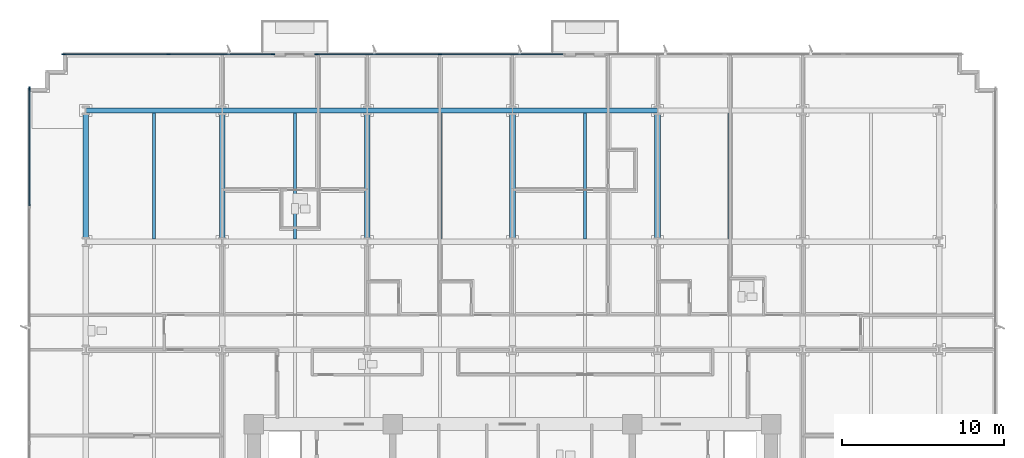
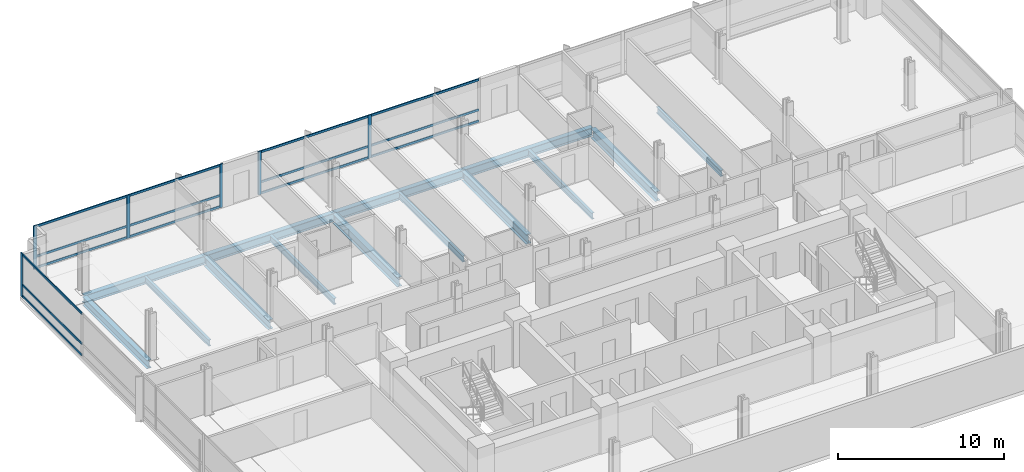
# One storey, part 5 of 15: 21 members, 14 beams, 3 elements without a shape of their own.
"""IFC4 building model written with IfcOpenShell, lengths in metres."""

from ifc_helpers import new_model, si_unit, direction, frame, origin, origin_2d, place, context, subcontext, project, spatial, rectangle, i_section, extrude, material, material_profile, profile_set, type_object, element, aggregate, save


model = new_model("IFC4")

# Units and contexts
model_context = context("Model", 3, precision=1e-05, world=origin(), true_north=direction((0.0, 1.0)))
body_context = subcontext(model_context, "Body", "Model", "MODEL_VIEW")
ifc_project = project(units=[si_unit("LENGTHUNIT", "METRE"), si_unit("AREAUNIT", "SQUARE_METRE"), si_unit("VOLUMEUNIT", "CUBIC_METRE"), si_unit("PLANEANGLEUNIT", "RADIAN"), si_unit("MASSUNIT", "GRAM", prefix="KILO")], contexts=[model_context])

# Site, building, storey
site_placement = place(None, origin())
site = spatial("IfcSite", under=ifc_project, at=site_placement, CompositionType="ELEMENT")
building_placement = place(site_placement, origin())
building = spatial("IfcBuilding", under=site, at=building_placement, Name="Solmavex Isthmus Hotel", CompositionType="ELEMENT")
storey_placement = place(building_placement, frame((0.0, 0.0, 64.35009765625)))
storey = spatial("IfcBuildingStorey", under=building, at=storey_placement, Name="L17", CompositionType="ELEMENT", Elevation=64.35009765625)

# Beams
ifc_material_1 = material(Name="Steel ASTM A992 Grade 50", Category="steel")
ifc_material_profile_1 = material_profile(ifc_material_1, i_section(OverallWidth=0.354736328125, OverallDepth=0.695556640625, WebThickness=0.015380859375, FlangeThickness=0.02490234375, FilletRadius=0.017822265625, at=origin_2d()), Name="W27X146")
ifc_profile_set_1 = profile_set([ifc_material_profile_1], Name="Steel ASTM A992 Grade 50")
beam_type_1 = type_object("IfcBeamType", Name="BM-BG-W27X146", PredefinedType="BEAM", material=ifc_profile_set_1)
for number, where, z_axis, x_axis, name in (
    (1, (-17.951904296875, 8.96533203125, -0.60791015625), (0.0, 1.0, 0.0), (-1.0, 0.0, 0.0), "Floor Beam L17-VG30"),
    (2, (-8.97607421875, 8.96533203125, -0.60791015625), (0.0, 1.0, 0.0), (-1.0, 0.0, 0.0), "Floor Beam L17-VG34"),
    (3, (0.0, 8.96533203125, -0.60791015625), (0.0, 1.0, 0.0), (-1.0, 0.0, 0.0), "Floor Beam L17-VG38"),
    (4, (8.97607421875, 8.96533203125, -0.60791015625), (0.0, 1.0, 0.0), (-1.0, 0.0, 0.0), "Floor Beam L17-VG42"),
):
    element("IfcBeam", number, at=place(storey_placement, frame(where, z_axis=z_axis, x_axis=x_axis)), inside=storey, type_object=beam_type_1, Name=name, PredefinedType="BEAM", context=body_context, shape_type="SweptSolid", body=[
        extrude(i_section(OverallWidth=0.354736328125, OverallDepth=0.695556640625, WebThickness=0.015380859375, FlangeThickness=0.02490234375, FilletRadius=0.017822265625, at=origin_2d()), origin(), (0.0, 0.0, 1.0), 7.771484375),
    ])
ifc_material_profile_2 = material_profile(ifc_material_1, i_section(OverallWidth=0.1904296875, OverallDepth=0.456787109375, WebThickness=0.009033203125, FlangeThickness=0.014404296875, FilletRadius=0.0126953125, at=origin_2d()), Name="W18X50")
ifc_profile_set_2 = profile_set([ifc_material_profile_2], Name="Steel ASTM A992 Grade 50")
beam_type_2 = type_object("IfcBeamType", Name="BM-BJ-W18X50", PredefinedType="JOIST", material=ifc_profile_set_2)
for number, where, z_axis, x_axis, name in (
    (5, (-22.176025390625, 8.96533203125, -0.488525390625), (0.0, 1.0, 0.0), (-1.0, 0.0, 0.0), "Secondary Floor Joist L17-J03"),
    (6, (-13.464111328125, 8.96533203125, -0.488525390625), (0.0, 1.0, 0.0), (-1.0, 0.0, 0.0), "Secondary Floor Joist L17-J07"),
    (7, (-4.488037109375, 8.96533203125, -0.488525390625), (0.0, 1.0, 0.0), (-1.0, 0.0, 0.0), "Secondary Floor Joist L17-J11"),
    (8, (4.488037109375, 8.96533203125, -0.488525390625), (0.0, 1.0, 0.0), (-1.0, 0.0, 0.0), "Secondary Floor Joist L17-J15"),
    (9, (13.464111328125, 8.96533203125, -0.488525390625), (0.0, 1.0, 0.0), (-1.0, 0.0, 0.0), "Secondary Floor Joist L17-J19"),
):
    element("IfcBeam", number, at=place(storey_placement, frame(where, z_axis=z_axis, x_axis=x_axis)), inside=storey, type_object=beam_type_2, Name=name, PredefinedType="JOIST", context=body_context, shape_type="SweptSolid", body=[
        extrude(i_section(OverallWidth=0.1904296875, OverallDepth=0.456787109375, WebThickness=0.009033203125, FlangeThickness=0.014404296875, FilletRadius=0.0126953125, at=origin_2d()), origin(), (0.0, 0.0, 1.0), 7.771484375),
    ])
ifc_material_profile_3 = material_profile(ifc_material_1, i_section(OverallWidth=0.326416015625, OverallDepth=0.621826171875, WebThickness=0.015380859375, FlangeThickness=0.0244140625, FilletRadius=0.01513671875, at=origin_2d()), Name="W24X131")
ifc_profile_set_3 = profile_set([ifc_material_profile_3], Name="Steel ASTM A992 Grade 50")
beam_type_3 = type_object("IfcBeamType", Name="BM-SP-W24X131", PredefinedType="SPANDREL", material=ifc_profile_set_3)
beam_1_placement = place(storey_placement, frame((-26.39990234375, 16.89990234375, -0.571044921875), z_axis=(1.0, 0.0, 0.0), x_axis=(0.0, 1.0, 0.0)))
element("IfcBeam", 10, at=beam_1_placement, inside=storey, type_object=beam_type_3, Name="Floor Girder L17-UG19", PredefinedType="SPANDREL", context=body_context, shape_type="SweptSolid", body=[
    extrude(i_section(OverallWidth=0.326416015625, OverallDepth=0.621826171875, WebThickness=0.015380859375, FlangeThickness=0.0244140625, FilletRadius=0.01513671875, at=origin_2d()), origin(), (0.0, 0.0, 1.0), 8.447998046875),
])
beam_2_placement = place(storey_placement, frame((-17.951904296875, 16.89990234375, -0.571044921875), z_axis=(1.0, 0.0, 0.0), x_axis=(0.0, 1.0, 0.0)))
element("IfcBeam", 11, at=beam_2_placement, inside=storey, type_object=beam_type_3, Name="Floor Girder L17-UG20", PredefinedType="SPANDREL", context=body_context, shape_type="SweptSolid", body=[
    extrude(i_section(OverallWidth=0.326416015625, OverallDepth=0.621826171875, WebThickness=0.015380859375, FlangeThickness=0.0244140625, FilletRadius=0.01513671875, at=origin_2d()), origin(), (0.0, 0.0, 1.0), 8.975830078125),
])
for number, where, z_axis, x_axis, name in (
    (12, (-8.97607421875, 16.89990234375, -0.571044921875), (1.0, 0.0, 0.0), (0.0, 1.0, 0.0), "Floor Girder L17-UG21"),
    (13, (0.0, 16.89990234375, -0.571044921875), (1.0, 0.0, 0.0), (0.0, 1.0, 0.0), "Floor Girder L17-UG22"),
):
    element("IfcBeam", number, at=place(storey_placement, frame(where, z_axis=z_axis, x_axis=x_axis)), inside=storey, type_object=beam_type_3, Name=name, PredefinedType="SPANDREL", context=body_context, shape_type="SweptSolid", body=[
        extrude(i_section(OverallWidth=0.326416015625, OverallDepth=0.621826171875, WebThickness=0.015380859375, FlangeThickness=0.0244140625, FilletRadius=0.01513671875, at=origin_2d()), origin(), (0.0, 0.0, 1.0), 8.97607421875),
    ])
beam_3_placement = place(storey_placement, frame((-26.39990234375, 8.96533203125, -0.571044921875), z_axis=(0.0, 1.0, 0.0), x_axis=(-1.0, 0.0, 0.0)))
element("IfcBeam", 14, at=beam_3_placement, inside=storey, type_object=beam_type_3, Name="Floor Beam L17-VG27", PredefinedType="SPANDREL", context=body_context, shape_type="SweptSolid", body=[
    extrude(i_section(OverallWidth=0.326416015625, OverallDepth=0.621826171875, WebThickness=0.015380859375, FlangeThickness=0.0244140625, FilletRadius=0.01513671875, at=origin_2d()), origin(), (0.0, 0.0, 1.0), 7.771484375),
])

# Curtain wall, members
ifc_material_2 = material(Name="Aluminium alloy 6063-T6", Category="aluminium")
curtain_wall_type = type_object("IfcCurtainWallType", Name="CW-SYS-02", PredefinedType="NOTDEFINED", material=ifc_material_2)
curtain_wall_1_placement = place(storey_placement, origin())
curtain_wall_1 = element("IfcCurtainWall", 15, at=curtain_wall_1_placement, inside=storey, type_object=curtain_wall_type, Name="Stick Curtain Wall CWL-L17-N1", PredefinedType="NOTDEFINED")
ifc_material_profile_4 = material_profile(ifc_material_2, rectangle(XDim=0.074951171875, YDim=0.219970703125, at=origin_2d()), Name="CWM-75X220")
ifc_profile_set_4 = profile_set([ifc_material_profile_4], Name="Aluminium alloy 6063-T6")
member_type_1 = type_object("IfcMemberType", Name="CW-SYS-02-MUL", PredefinedType="MULLION", material=ifc_profile_set_4)
member_1_placement = place(storey_placement, frame((-27.762451171875, 20.3798828125, 0.0), z_axis=(0.0, 0.0, 1.0), x_axis=(0.0, 1.0, 0.0)))
member_1 = element("IfcMember", 16, at=member_1_placement, type_object=member_type_1, Name="CW-02 mullion 1", PredefinedType="MULLION", context=body_context, shape_type="SweptSolid", body=[
    extrude(rectangle(XDim=0.074951171875, YDim=0.219970703125, at=origin_2d()), origin(), (0.0, 0.0, 1.0), 3.18994140625),
])
member_2_placement = place(storey_placement, frame((-21.281982421875, 20.3798828125, 0.0), z_axis=(0.0, 0.0, 1.0), x_axis=(0.0, 1.0, 0.0)))
member_2 = element("IfcMember", 17, at=member_2_placement, type_object=member_type_1, Name="CW-02 mullion 2", PredefinedType="MULLION", context=body_context, shape_type="SweptSolid", body=[
    extrude(rectangle(XDim=0.074951171875, YDim=0.219970703125, at=origin_2d()), origin(), (0.0, 0.0, 1.0), 3.18994140625),
])
member_3_placement = place(storey_placement, frame((-14.801513671875, 20.3798828125, 0.0), z_axis=(0.0, 0.0, 1.0), x_axis=(0.0, 1.0, 0.0)))
member_3 = element("IfcMember", 18, at=member_3_placement, type_object=member_type_1, Name="CW-02 mullion 3", PredefinedType="MULLION", context=body_context, shape_type="SweptSolid", body=[
    extrude(rectangle(XDim=0.074951171875, YDim=0.219970703125, at=origin_2d()), origin(), (0.0, 0.0, 1.0), 3.18994140625),
])

curtain_wall_2_placement = place(storey_placement, origin())
curtain_wall_2 = element("IfcCurtainWall", 19, at=curtain_wall_2_placement, inside=storey, type_object=curtain_wall_type, Name="Stick Curtain Wall CWL-L17-N2", PredefinedType="NOTDEFINED")
member_4_placement = place(storey_placement, frame((-12.12646484375, 20.3798828125, 0.0), z_axis=(0.0, 0.0, 1.0), x_axis=(0.0, 1.0, 0.0)))
member_4 = element("IfcMember", 20, at=member_4_placement, type_object=member_type_1, Name="CW-02 mullion 1", PredefinedType="MULLION", context=body_context, shape_type="SweptSolid", body=[
    extrude(rectangle(XDim=0.074951171875, YDim=0.219970703125, at=origin_2d()), origin(), (0.0, 0.0, 1.0), 3.18994140625),
])
member_5_placement = place(storey_placement, frame((-4.488037109375, 20.3798828125, 0.0), z_axis=(0.0, 0.0, 1.0), x_axis=(0.0, 1.0, 0.0)))
member_5 = element("IfcMember", 21, at=member_5_placement, type_object=member_type_1, Name="CW-02 mullion 2", PredefinedType="MULLION", context=body_context, shape_type="SweptSolid", body=[
    extrude(rectangle(XDim=0.074951171875, YDim=0.219970703125, at=origin_2d()), origin(), (0.0, 0.0, 1.0), 3.18994140625),
])

# Curtain wall, member
curtain_wall_3_placement = place(storey_placement, origin())
curtain_wall_3 = element("IfcCurtainWall", 22, at=curtain_wall_3_placement, inside=storey, type_object=curtain_wall_type, Name="Stick Curtain Wall CWL-L17-W1", PredefinedType="NOTDEFINED")
member_6_placement = place(storey_placement, frame((-29.8798828125, 18.262451171875, 0.0), z_axis=(0.0, 0.0, 1.0), x_axis=(-1.0, 0.0, 0.0)))
member_6 = element("IfcMember", 23, at=member_6_placement, type_object=member_type_1, Name="CW-02 mullion 6", PredefinedType="MULLION", context=body_context, shape_type="SweptSolid", body=[
    extrude(rectangle(XDim=0.074951171875, YDim=0.219970703125, at=origin_2d()), origin(), (0.0, 0.0, 1.0), 3.18994140625),
])

# Member
ifc_material_profile_5 = material_profile(ifc_material_2, rectangle(XDim=0.074951171875, YDim=0.159912109375, at=origin_2d()), Name="CWT-75X160")
ifc_profile_set_5 = profile_set([ifc_material_profile_5], Name="Aluminium alloy 6063-T6")
member_type_2 = type_object("IfcMemberType", Name="CW-SYS-02-TRN", PredefinedType="USERDEFINED", material=ifc_profile_set_5)
member_7_placement = place(storey_placement, frame((-27.72509765625, 20.3798828125, 0.079833984375), z_axis=(1.0, 0.0, 0.0), x_axis=(0.0, 1.0, 0.0)))
member_7 = element("IfcMember", 24, at=member_7_placement, type_object=member_type_2, Name="CW-02 transom 1.1", ObjectType="TRANSOM", PredefinedType="USERDEFINED", context=body_context, shape_type="SweptSolid", body=[
    extrude(rectangle(XDim=0.074951171875, YDim=0.159912109375, at=origin_2d()), origin(), (0.0, 0.0, 1.0), 6.405517578125),
])

member_8_placement = place(storey_placement, frame((-27.72509765625, 20.3798828125, 0.89990234375), z_axis=(1.0, 0.0, 0.0), x_axis=(0.0, 1.0, 0.0)))
member_8 = element("IfcMember", 25, at=member_8_placement, type_object=member_type_2, Name="CW-02 transom 1.2", ObjectType="TRANSOM", PredefinedType="USERDEFINED", context=body_context, shape_type="SweptSolid", body=[
    extrude(rectangle(XDim=0.074951171875, YDim=0.159912109375, at=origin_2d()), origin(), (0.0, 0.0, 1.0), 6.405517578125),
])

member_9_placement = place(storey_placement, frame((-27.72509765625, 20.3798828125, 3.10986328125), z_axis=(1.0, 0.0, 0.0), x_axis=(0.0, 1.0, 0.0)))
member_9 = element("IfcMember", 26, at=member_9_placement, type_object=member_type_2, Name="CW-02 transom 1.3", ObjectType="TRANSOM", PredefinedType="USERDEFINED", context=body_context, shape_type="SweptSolid", body=[
    extrude(rectangle(XDim=0.074951171875, YDim=0.159912109375, at=origin_2d()), origin(), (0.0, 0.0, 1.0), 6.405517578125),
])

member_10_placement = place(storey_placement, frame((-21.244384765625, 20.3798828125, 0.079833984375), z_axis=(1.0, 0.0, 0.0), x_axis=(0.0, 1.0, 0.0)))
member_10 = element("IfcMember", 27, at=member_10_placement, type_object=member_type_2, Name="CW-02 transom 2.1", ObjectType="TRANSOM", PredefinedType="USERDEFINED", context=body_context, shape_type="SweptSolid", body=[
    extrude(rectangle(XDim=0.074951171875, YDim=0.159912109375, at=origin_2d()), origin(), (0.0, 0.0, 1.0), 6.4052734375),
])

member_11_placement = place(storey_placement, frame((-21.244384765625, 20.3798828125, 0.89990234375), z_axis=(1.0, 0.0, 0.0), x_axis=(0.0, 1.0, 0.0)))
member_11 = element("IfcMember", 28, at=member_11_placement, type_object=member_type_2, Name="CW-02 transom 2.2", ObjectType="TRANSOM", PredefinedType="USERDEFINED", context=body_context, shape_type="SweptSolid", body=[
    extrude(rectangle(XDim=0.074951171875, YDim=0.159912109375, at=origin_2d()), origin(), (0.0, 0.0, 1.0), 6.4052734375),
])

member_12_placement = place(storey_placement, frame((-21.244384765625, 20.3798828125, 3.10986328125), z_axis=(1.0, 0.0, 0.0), x_axis=(0.0, 1.0, 0.0)))
member_12 = element("IfcMember", 29, at=member_12_placement, type_object=member_type_2, Name="CW-02 transom 2.3", ObjectType="TRANSOM", PredefinedType="USERDEFINED", context=body_context, shape_type="SweptSolid", body=[
    extrude(rectangle(XDim=0.074951171875, YDim=0.159912109375, at=origin_2d()), origin(), (0.0, 0.0, 1.0), 6.4052734375),
])

aggregate(curtain_wall_1, [member_1, member_2, member_3, member_7, member_8, member_9, member_10, member_11, member_12])

member_13_placement = place(storey_placement, frame((-12.089111328125, 20.3798828125, 0.079833984375), z_axis=(1.0, 0.0, 0.0), x_axis=(0.0, 1.0, 0.0)))
member_13 = element("IfcMember", 30, at=member_13_placement, type_object=member_type_2, Name="CW-02 transom 1.1", ObjectType="TRANSOM", PredefinedType="USERDEFINED", context=body_context, shape_type="SweptSolid", body=[
    extrude(rectangle(XDim=0.074951171875, YDim=0.159912109375, at=origin_2d()), origin(), (0.0, 0.0, 1.0), 7.563720703125),
])

member_14_placement = place(storey_placement, frame((-12.089111328125, 20.3798828125, 0.89990234375), z_axis=(1.0, 0.0, 0.0), x_axis=(0.0, 1.0, 0.0)))
member_14 = element("IfcMember", 31, at=member_14_placement, type_object=member_type_2, Name="CW-02 transom 1.2", ObjectType="TRANSOM", PredefinedType="USERDEFINED", context=body_context, shape_type="SweptSolid", body=[
    extrude(rectangle(XDim=0.074951171875, YDim=0.159912109375, at=origin_2d()), origin(), (0.0, 0.0, 1.0), 7.563720703125),
])

member_15_placement = place(storey_placement, frame((-12.089111328125, 20.3798828125, 3.10986328125), z_axis=(1.0, 0.0, 0.0), x_axis=(0.0, 1.0, 0.0)))
member_15 = element("IfcMember", 32, at=member_15_placement, type_object=member_type_2, Name="CW-02 transom 1.3", ObjectType="TRANSOM", PredefinedType="USERDEFINED", context=body_context, shape_type="SweptSolid", body=[
    extrude(rectangle(XDim=0.074951171875, YDim=0.159912109375, at=origin_2d()), origin(), (0.0, 0.0, 1.0), 7.563720703125),
])

member_16_placement = place(storey_placement, frame((-4.450439453125, 20.3798828125, 0.079833984375), z_axis=(1.0, 0.0, 0.0), x_axis=(0.0, 1.0, 0.0)))
member_16 = element("IfcMember", 33, at=member_16_placement, type_object=member_type_2, Name="CW-02 transom 2.1", ObjectType="TRANSOM", PredefinedType="USERDEFINED", context=body_context, shape_type="SweptSolid", body=[
    extrude(rectangle(XDim=0.074951171875, YDim=0.159912109375, at=origin_2d()), origin(), (0.0, 0.0, 1.0), 7.5634765625),
])

member_17_placement = place(storey_placement, frame((-4.450439453125, 20.3798828125, 0.89990234375), z_axis=(1.0, 0.0, 0.0), x_axis=(0.0, 1.0, 0.0)))
member_17 = element("IfcMember", 34, at=member_17_placement, type_object=member_type_2, Name="CW-02 transom 2.2", ObjectType="TRANSOM", PredefinedType="USERDEFINED", context=body_context, shape_type="SweptSolid", body=[
    extrude(rectangle(XDim=0.074951171875, YDim=0.159912109375, at=origin_2d()), origin(), (0.0, 0.0, 1.0), 7.5634765625),
])

member_18_placement = place(storey_placement, frame((-4.450439453125, 20.3798828125, 3.10986328125), z_axis=(1.0, 0.0, 0.0), x_axis=(0.0, 1.0, 0.0)))
member_18 = element("IfcMember", 35, at=member_18_placement, type_object=member_type_2, Name="CW-02 transom 2.3", ObjectType="TRANSOM", PredefinedType="USERDEFINED", context=body_context, shape_type="SweptSolid", body=[
    extrude(rectangle(XDim=0.074951171875, YDim=0.159912109375, at=origin_2d()), origin(), (0.0, 0.0, 1.0), 7.5634765625),
])

aggregate(curtain_wall_2, [member_4, member_5, member_13, member_14, member_15, member_16, member_17, member_18])

member_19_placement = place(storey_placement, frame((-29.8798828125, 11.017578125, 0.079833984375), z_axis=(0.0, 1.0, 0.0), x_axis=(-1.0, 0.0, 0.0)))
member_19 = element("IfcMember", 36, at=member_19_placement, type_object=member_type_2, Name="CW-02 transom 5.1", ObjectType="TRANSOM", PredefinedType="USERDEFINED", context=body_context, shape_type="SweptSolid", body=[
    extrude(rectangle(XDim=0.074951171875, YDim=0.159912109375, at=origin_2d()), origin(), (0.0, 0.0, 1.0), 7.20751953125),
])

member_20_placement = place(storey_placement, frame((-29.8798828125, 11.017578125, 0.89990234375), z_axis=(0.0, 1.0, 0.0), x_axis=(-1.0, 0.0, 0.0)))
member_20 = element("IfcMember", 37, at=member_20_placement, type_object=member_type_2, Name="CW-02 transom 5.2", ObjectType="TRANSOM", PredefinedType="USERDEFINED", context=body_context, shape_type="SweptSolid", body=[
    extrude(rectangle(XDim=0.074951171875, YDim=0.159912109375, at=origin_2d()), origin(), (0.0, 0.0, 1.0), 7.20751953125),
])

member_21_placement = place(storey_placement, frame((-29.8798828125, 11.017578125, 3.10986328125), z_axis=(0.0, 1.0, 0.0), x_axis=(-1.0, 0.0, 0.0)))
member_21 = element("IfcMember", 38, at=member_21_placement, type_object=member_type_2, Name="CW-02 transom 5.3", ObjectType="TRANSOM", PredefinedType="USERDEFINED", context=body_context, shape_type="SweptSolid", body=[
    extrude(rectangle(XDim=0.074951171875, YDim=0.159912109375, at=origin_2d()), origin(), (0.0, 0.0, 1.0), 7.20751953125),
])

aggregate(curtain_wall_3, [member_6, member_19, member_20, member_21])

save(model, "model.ifc")
